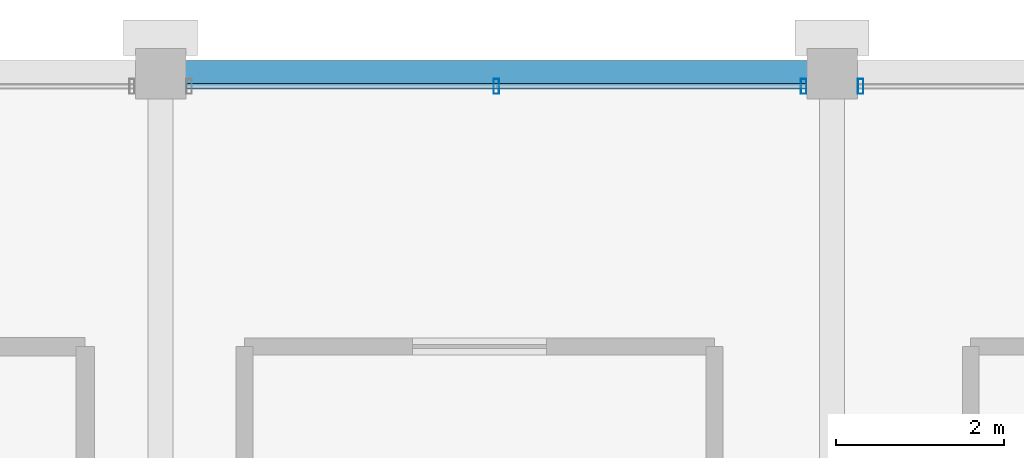
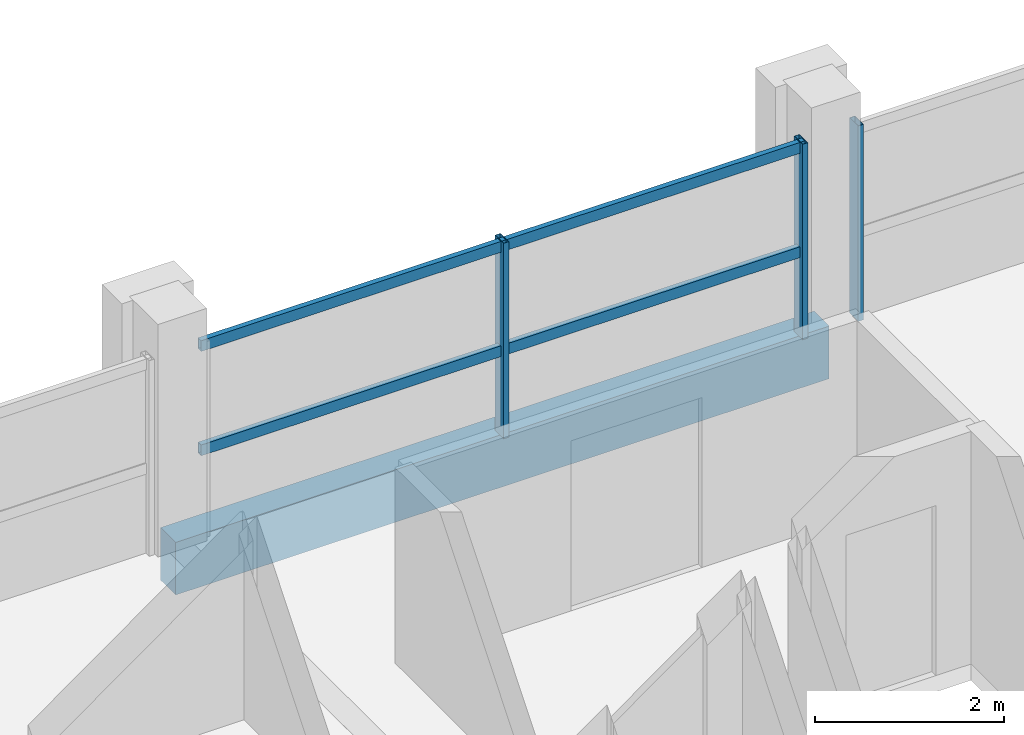
# One storey, part 16 of 24: 5 members, 1 beam, 2 elements without a shape of their own.
"""IFC4 building model written with IfcOpenShell, lengths in metres."""

from ifc_helpers import new_model, si_unit, direction, frame, origin, origin_2d, place, context, subcontext, project, spatial, rectangle, hollow_rectangle, extrude, material, material_profile, profile_set, type_object, element, aggregate, save


model = new_model("IFC4")

# Units and contexts
model_context = context("Model", 3, precision=1e-05, world=origin(), true_north=direction((0.0, 1.0)))
body_context = subcontext(model_context, "Body", "Model", "MODEL_VIEW")
ifc_project = project(units=[si_unit("LENGTHUNIT", "METRE"), si_unit("AREAUNIT", "SQUARE_METRE"), si_unit("VOLUMEUNIT", "CUBIC_METRE"), si_unit("PLANEANGLEUNIT", "RADIAN"), si_unit("MASSUNIT", "GRAM", prefix="KILO")], contexts=[model_context])

# Site, building, storey
site_placement = place(None, origin())
site = spatial("IfcSite", under=ifc_project, at=site_placement, CompositionType="ELEMENT")
building_placement = place(site_placement, origin())
building = spatial("IfcBuilding", under=site, at=building_placement, Name="Akrevak Sports Hall", CompositionType="ELEMENT")
storey_placement = place(building_placement, frame((0.0, 0.0, 63.300048828125)))
storey = spatial("IfcBuildingStorey", under=building, at=storey_placement, Name="L16", CompositionType="ELEMENT", Elevation=63.300048828125)

# Curtain wall, member
ifc_material_1 = material(Name="Anodized Bronze Aluminium & Low-E Glass", Category="aluminium")
curtain_wall_type = type_object("IfcCurtainWallType", Name="ARC-CW-TWR-72x30", PredefinedType="NOTDEFINED", material=ifc_material_1)
curtain_wall_1_placement = place(storey_placement, origin())
curtain_wall_1 = element("IfcCurtainWall", 1, at=curtain_wall_1_placement, inside=storey, type_object=curtain_wall_type, Name="Curtain Wall CW-L16-N20", PredefinedType="NOTDEFINED")
ifc_material_2 = material(Name="Anodized Bronze Aluminium", Category="aluminium")
ifc_material_profile_1 = material_profile(ifc_material_2, hollow_rectangle(XDim=0.06494140625, YDim=0.179931640625, WallThickness=0.00390625, at=origin_2d()), Name="CWM 65x180", Category="aluminium")
ifc_profile_set_1 = profile_set([ifc_material_profile_1], Name="Anodized Bronze Aluminium")
member_type_1 = type_object("IfcMemberType", Name="ARC-CWM-65x140", PredefinedType="MULLION", material=ifc_profile_set_1)
member_1_placement = place(storey_placement, frame((76.340087890625, 69.449951171875, 0.0), z_axis=(0.0, 0.0, 1.0), x_axis=(-1.0, 0.0, 0.0)))
member_1 = element("IfcMember", 2, at=member_1_placement, type_object=member_type_1, Name="Curtain Wall Mullion CW-L16-N20-M3", PredefinedType="MULLION", context=body_context, shape_type="SweptSolid", body=[
    extrude(hollow_rectangle(XDim=0.06494140625, YDim=0.179931640625, WallThickness=0.00390625, at=origin_2d()), origin(), (0.0, 0.0, 1.0), 2.530029296875),
])
aggregate(curtain_wall_1, [member_1])

# Curtain wall, members
curtain_wall_2_placement = place(storey_placement, origin())
curtain_wall_2 = element("IfcCurtainWall", 3, at=curtain_wall_2_placement, inside=storey, type_object=curtain_wall_type, Name="Curtain Wall CW-L16-N21", PredefinedType="NOTDEFINED")
member_2_placement = place(storey_placement, frame((75.659912109375, 69.449951171875, 0.0), z_axis=(0.0, 0.0, 1.0), x_axis=(-1.0, 0.0, 0.0)))
member_2 = element("IfcMember", 4, at=member_2_placement, type_object=member_type_1, Name="Curtain Wall Mullion CW-L16-N21-M1", PredefinedType="MULLION", context=body_context, shape_type="SweptSolid", body=[
    extrude(hollow_rectangle(XDim=0.06494140625, YDim=0.179931640625, WallThickness=0.00390625, at=origin_2d()), origin(), (0.0, 0.0, 1.0), 2.530029296875),
])
member_3_placement = place(storey_placement, frame((72.0, 69.449951171875, 0.0), z_axis=(0.0, 0.0, 1.0), x_axis=(-1.0, 0.0, 0.0)))
member_3 = element("IfcMember", 5, at=member_3_placement, type_object=member_type_1, Name="Curtain Wall Mullion CW-L16-N21-M2", PredefinedType="MULLION", context=body_context, shape_type="SweptSolid", body=[
    extrude(hollow_rectangle(XDim=0.06494140625, YDim=0.179931640625, WallThickness=0.00390625, at=origin_2d()), origin(), (0.0, 0.0, 1.0), 2.530029296875),
])
ifc_material_profile_2 = material_profile(ifc_material_2, hollow_rectangle(XDim=0.06494140625, YDim=0.139892578125, WallThickness=0.00390625, at=origin_2d()), Name="CWT 65x140", Category="aluminium")
ifc_profile_set_2 = profile_set([ifc_material_profile_2], Name="Anodized Bronze Aluminium")
member_type_2 = type_object("IfcMemberType", Name="ARC-CWT-65x110", PredefinedType="USERDEFINED", material=ifc_profile_set_2)
member_4_placement = place(storey_placement, frame((75.699951171875, 69.449951171875, 1.099853515625), z_axis=(-1.0, 0.0, 0.0), x_axis=(0.0, -1.0, 0.0)))
member_4 = element("IfcMember", 6, at=member_4_placement, type_object=member_type_2, Name="Curtain Wall Transom CW-L16-N21-T1", ObjectType="TRANSOM", PredefinedType="USERDEFINED", context=body_context, shape_type="SweptSolid", body=[
    extrude(hollow_rectangle(XDim=0.06494140625, YDim=0.139892578125, WallThickness=0.00390625, at=origin_2d()), origin(), (0.0, 0.0, 1.0), 7.39990234375),
])
member_5_placement = place(storey_placement, frame((75.699951171875, 69.449951171875, 2.449951171875), z_axis=(-1.0, 0.0, 0.0), x_axis=(0.0, -1.0, 0.0)))
member_5 = element("IfcMember", 7, at=member_5_placement, type_object=member_type_2, Name="Curtain Wall Transom CW-L16-N21-T2", ObjectType="TRANSOM", PredefinedType="USERDEFINED", context=body_context, shape_type="SweptSolid", body=[
    extrude(hollow_rectangle(XDim=0.06494140625, YDim=0.139892578125, WallThickness=0.00390625, at=origin_2d()), origin(), (0.0, 0.0, 1.0), 7.39990234375),
])
aggregate(curtain_wall_2, [member_2, member_3, member_4, member_5])

# Beam
ifc_material_3 = material(Name="Concrete C40/50", Category="concrete")
ifc_material_profile_3 = material_profile(ifc_material_3, rectangle(XDim=0.320068359375, YDim=0.679931640625, at=origin_2d()), Name="SPD 320x680", Category="concrete")
ifc_profile_set_3 = profile_set([ifc_material_profile_3], Name="Concrete C40/50")
beam_type = type_object("IfcBeamType", Name="STR-SPD-RC320x680", PredefinedType="SPANDREL", material=ifc_profile_set_3)
beam_placement = place(storey_placement, frame((68.0, 69.60009765625, -0.340087890625), z_axis=(1.0, 0.0, 0.0), x_axis=(0.0, 1.0, 0.0)))
element("IfcBeam", 8, at=beam_placement, inside=storey, type_object=beam_type, Name="Girder K/10-11 (L16)", PredefinedType="SPANDREL", context=body_context, shape_type="SweptSolid", body=[
    extrude(rectangle(XDim=0.320068359375, YDim=0.679931640625, at=origin_2d()), origin(), (0.0, 0.0, 1.0), 8.0),
])

save(model, "model.ifc")
